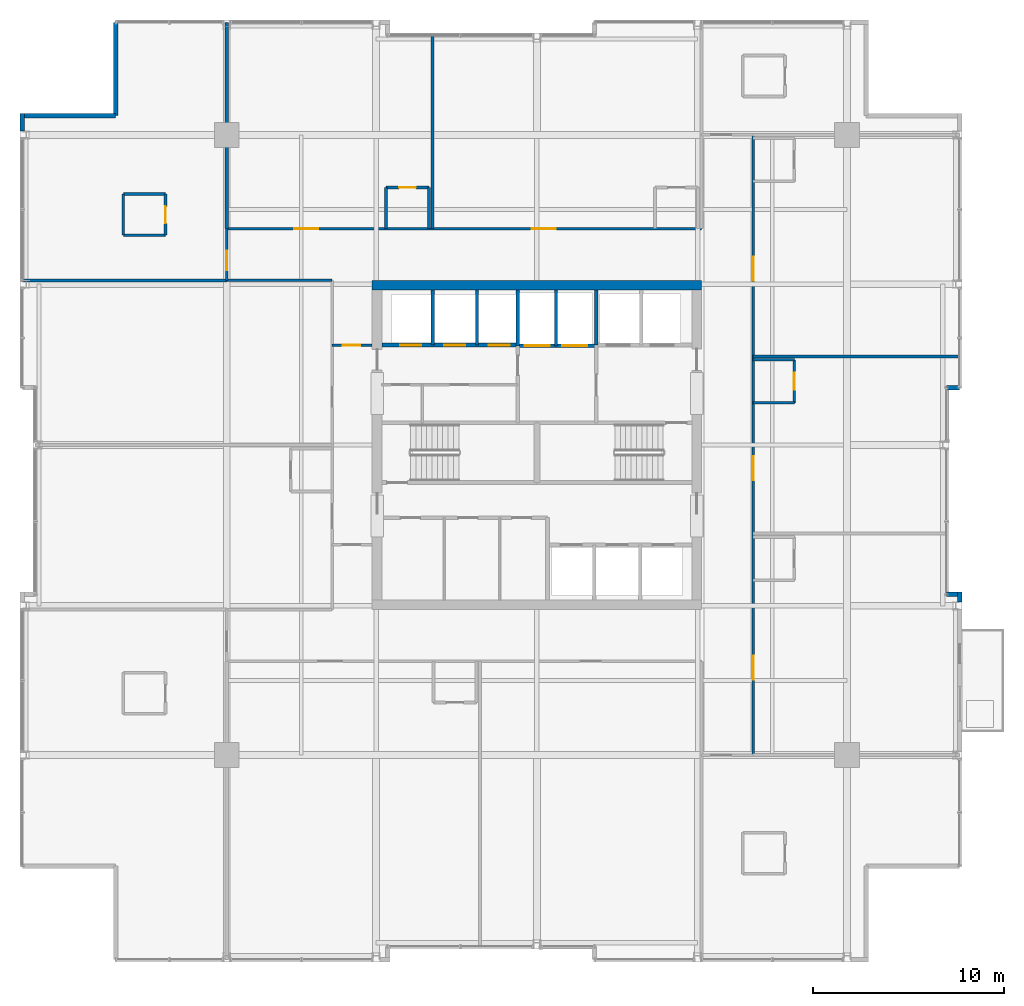
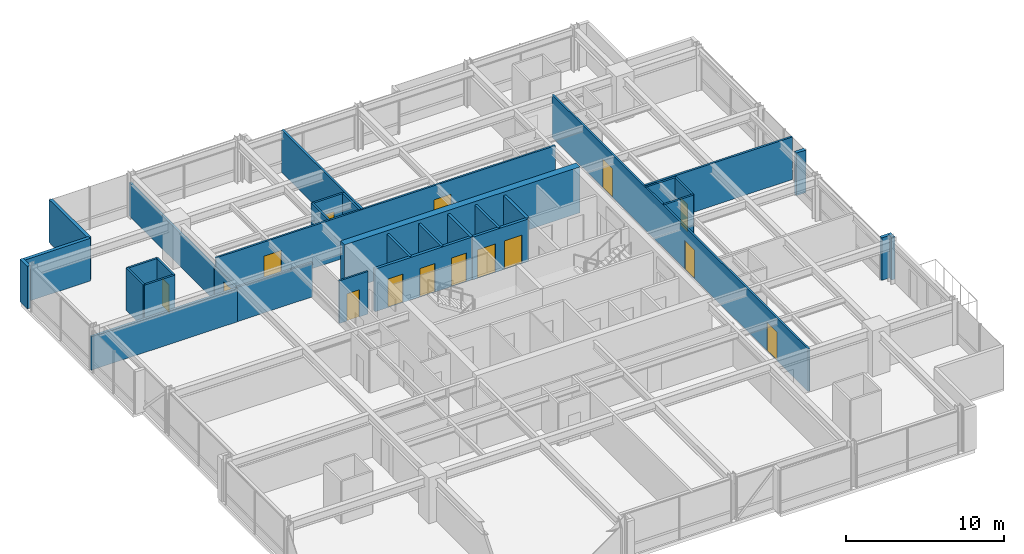
# One storey, part 29 of 33: 33 walls, 15 doors, 15 openings.
"""IFC4 building model written with IfcOpenShell, lengths in metres."""

from ifc_helpers import new_model, si_unit, direction, frame, frame_2d, origin, place, context, subcontext, project, spatial, rectangle, extrude, material, layer, layer_set, type_object, element, fill, save


model = new_model("IFC4")

# Units and contexts
model_context = context("Model", 3, precision=1e-05, world=origin(), true_north=direction((0.0, 1.0)))
body_context = subcontext(model_context, "Body", "Model", "MODEL_VIEW")
ifc_project = project(units=[si_unit("LENGTHUNIT", "METRE"), si_unit("AREAUNIT", "SQUARE_METRE"), si_unit("VOLUMEUNIT", "CUBIC_METRE"), si_unit("PLANEANGLEUNIT", "RADIAN"), si_unit("MASSUNIT", "GRAM", prefix="KILO")], contexts=[model_context])

# Site, building, storey
site_placement = place(None, origin())
site = spatial("IfcSite", under=ifc_project, at=site_placement, CompositionType="ELEMENT")
building_placement = place(site_placement, origin())
building = spatial("IfcBuilding", under=site, at=building_placement, Name="Drelvath Grand Hotel", CompositionType="ELEMENT")
storey_placement = place(building_placement, frame((0.0, 0.0, 168.14990234375)))
storey = spatial("IfcBuildingStorey", under=building, at=storey_placement, Name="L43", CompositionType="ELEMENT", Elevation=168.14990234375)

# Wall
ifc_material_1 = material(Name="Concrete C40/50", Category="concrete")
ifc_layer_1 = layer(ifc_material_1, 0.199951171875)
ifc_layer_set_1 = layer_set([ifc_layer_1], Name="Concrete C40/50")
wall_type_1 = type_object("IfcWallType", Name="Core Hoistway Fire Wall 200", PredefinedType="SOLIDWALL", material=ifc_layer_set_1)
wall_1_placement = place(storey_placement, frame((3.10009765625, 32.219970703125, 0.0), z_axis=(0.0, 0.0, 1.0), x_axis=(0.0, 1.0, 0.0)))
element("IfcWall", 1, at=wall_1_placement, inside=storey, type_object=wall_type_1, Name="L43 FSAE Hoistway West Wall", PredefinedType="SOLIDWALL", context=body_context, shape_type="SweptSolid", body=[
    extrude(rectangle(XDim=2.880126953125, YDim=0.199951171875, at=frame_2d((1.43994140625, 0.0))), origin(), (0.0, 0.0, 1.0), 3.2900390625),
])

# Wall, openings, doors
wall_2_placement = place(storey_placement, frame((-1.0, 32.179931640625, 0.0), z_axis=(0.0, 0.0, 1.0), x_axis=(1.0, 0.0, 0.0)))
wall_2 = element("IfcWall", 2, at=wall_2_placement, inside=storey, type_object=wall_type_1, Name="L43 Service Lift Hoistway Wall", PredefinedType="SOLIDWALL", context=body_context, shape_type="SweptSolid", body=[
    extrude(rectangle(XDim=4.10009765625, YDim=0.199951171875, at=frame_2d((2.050048828125, 0.0))), origin(), (0.0, 0.0, 1.0), 3.2900390625),
])
opening_1_placement = place(wall_2_placement, frame((0.3701171875, 0.0, 0.0)))
opening_1 = element("IfcOpeningElement", 3, at=opening_1_placement, cuts=wall_2, Name="Opening LD-SV-2", PredefinedType="OPENING", context=body_context, shape_type="SweptSolid", body=[
    extrude(rectangle(XDim=1.300048828125, YDim=2.199951171875, at=frame_2d((0.64990234375, 1.10009765625))), frame((0.0, 0.10986328125, 0.0), z_axis=(0.0, -1.0, 0.0), x_axis=(1.0, 0.0, 0.0)), (0.0, 0.0, 1.0), 0.219970703125),
])
opening_2_placement = place(wall_2_placement, frame((2.330078125, 0.0, 0.0)))
opening_2 = element("IfcOpeningElement", 4, at=opening_2_placement, cuts=wall_2, Name="Opening LD-SV-1", PredefinedType="OPENING", context=body_context, shape_type="SweptSolid", body=[
    extrude(rectangle(XDim=1.300048828125, YDim=2.199951171875, at=frame_2d((0.64990234375, 1.10009765625))), frame((0.0, 0.10986328125, 0.0), z_axis=(0.0, -1.0, 0.0), x_axis=(1.0, 0.0, 0.0)), (0.0, 0.0, 1.0), 0.219970703125),
])
ifc_material_2 = material(Name="Stainless Steel S355", Category="steel")
door_type_1 = type_object("IfcDoorType", Name="Service Lift Sliding Landing Door 1300x2200", OperationType="NOTDEFINED", PredefinedType="DOOR", material=ifc_material_2)
door_1_placement = place(opening_1_placement, origin())
door_1 = element("IfcDoor", 5, at=door_1_placement, inside=storey, type_object=door_type_1, Name="L43 Lift SV-2 Landing Door", OperationType="SLIDING_TO_LEFT", OverallHeight=2.199951171875, OverallWidth=1.300048828125, PredefinedType="DOOR", context=body_context, shape_type="SweptSolid", body=[
    extrude(rectangle(XDim=1.300048828125, YDim=2.199951171875, at=frame_2d((0.64990234375, 1.10009765625))), frame((0.0, 0.02490234375, 0.0), z_axis=(0.0, -1.0, 0.0), x_axis=(1.0, 0.0, 0.0)), (0.0, 0.0, 1.0), 0.050048828125),
])
fill(opening_1, door_1)
door_2_placement = place(opening_2_placement, origin())
door_2 = element("IfcDoor", 6, at=door_2_placement, inside=storey, type_object=door_type_1, Name="L43 Lift SV-1 Landing Door", OperationType="SLIDING_TO_LEFT", OverallHeight=2.199951171875, OverallWidth=1.300048828125, PredefinedType="DOOR", context=body_context, shape_type="SweptSolid", body=[
    extrude(rectangle(XDim=1.300048828125, YDim=2.199951171875, at=frame_2d((0.64990234375, 1.10009765625))), frame((0.0, 0.02490234375, 0.0), z_axis=(0.0, -1.0, 0.0), x_axis=(1.0, 0.0, 0.0)), (0.0, 0.0, 1.0), 0.050048828125),
])
fill(opening_2, door_2)

# Wall
wall_3_placement = place(storey_placement, frame((-1.0, 32.179931640625, 0.0), z_axis=(0.0, 0.0, 1.0), x_axis=(0.0, 1.0, 0.0)))
element("IfcWall", 7, at=wall_3_placement, inside=storey, type_object=wall_type_1, Name="L43 Service Lift West Wall", PredefinedType="SOLIDWALL", context=body_context, shape_type="SweptSolid", body=[
    extrude(rectangle(XDim=2.920166015625, YDim=0.199951171875, at=frame_2d((1.4599609375, 0.0))), origin(), (0.0, 0.0, 1.0), 3.2900390625),
])

# Wall, openings, doors
wall_4_placement = place(storey_placement, frame((-8.10009765625, 32.219970703125, 0.0), z_axis=(0.0, 0.0, 1.0), x_axis=(1.0, 0.0, 0.0)))
wall_4 = element("IfcWall", 8, at=wall_4_placement, inside=storey, type_object=wall_type_1, Name="L43 Bank 3 Hoistway Wall", PredefinedType="SOLIDWALL", context=body_context, shape_type="SweptSolid", body=[
    extrude(rectangle(XDim=7.10009765625, YDim=0.199951171875, at=frame_2d((3.550048828125, 0.0))), origin(), (0.0, 0.0, 1.0), 3.2900390625),
])
opening_3_placement = place(wall_4_placement, frame((0.949951171875, 0.0, 0.0)))
opening_3 = element("IfcOpeningElement", 9, at=opening_3_placement, cuts=wall_4, Name="Opening LD-PE-7", PredefinedType="OPENING", context=body_context, shape_type="SweptSolid", body=[
    extrude(rectangle(XDim=1.10009765625, YDim=2.199951171875, at=frame_2d((0.550048828125, 1.10009765625))), frame((0.0, 0.10986328125, 0.0), z_axis=(0.0, -1.0, 0.0), x_axis=(1.0, 0.0, 0.0)), (0.0, 0.0, 1.0), 0.219970703125),
])
opening_4_placement = place(wall_4_placement, frame((3.27001953125, 0.0, 0.0)))
opening_4 = element("IfcOpeningElement", 10, at=opening_4_placement, cuts=wall_4, Name="Opening LD-PE-8", PredefinedType="OPENING", context=body_context, shape_type="SweptSolid", body=[
    extrude(rectangle(XDim=1.10009765625, YDim=2.199951171875, at=frame_2d((0.550048828125, 1.10009765625))), frame((0.0, 0.10986328125, 0.0), z_axis=(0.0, -1.0, 0.0), x_axis=(1.0, 0.0, 0.0)), (0.0, 0.0, 1.0), 0.219970703125),
])
opening_5_placement = place(wall_4_placement, frame((5.590087890625, 0.0, 0.0)))
opening_5 = element("IfcOpeningElement", 11, at=opening_5_placement, cuts=wall_4, Name="Opening LD-PE-9", PredefinedType="OPENING", context=body_context, shape_type="SweptSolid", body=[
    extrude(rectangle(XDim=1.10009765625, YDim=2.199951171875, at=frame_2d((0.550048828125, 1.10009765625))), frame((0.0, 0.10986328125, 0.0), z_axis=(0.0, -1.0, 0.0), x_axis=(1.0, 0.0, 0.0)), (0.0, 0.0, 1.0), 0.219970703125),
])
door_type_2 = type_object("IfcDoorType", Name="Passenger Lift Sliding Landing Door 1100x2200", OperationType="NOTDEFINED", PredefinedType="DOOR", material=ifc_material_2)
door_3_placement = place(opening_3_placement, origin())
door_3 = element("IfcDoor", 12, at=door_3_placement, inside=storey, type_object=door_type_2, Name="L43 Lift PE-7 Landing Door", OperationType="SLIDING_TO_LEFT", OverallHeight=2.199951171875, OverallWidth=1.10009765625, PredefinedType="DOOR", context=body_context, shape_type="SweptSolid", body=[
    extrude(rectangle(XDim=1.10009765625, YDim=2.199951171875, at=frame_2d((0.550048828125, 1.10009765625))), frame((0.0, 0.02490234375, 0.0), z_axis=(0.0, -1.0, 0.0), x_axis=(1.0, 0.0, 0.0)), (0.0, 0.0, 1.0), 0.050048828125),
])
fill(opening_3, door_3)
door_4_placement = place(opening_4_placement, origin())
door_4 = element("IfcDoor", 13, at=door_4_placement, inside=storey, type_object=door_type_2, Name="L43 Lift PE-8 Landing Door", OperationType="SLIDING_TO_LEFT", OverallHeight=2.199951171875, OverallWidth=1.10009765625, PredefinedType="DOOR", context=body_context, shape_type="SweptSolid", body=[
    extrude(rectangle(XDim=1.10009765625, YDim=2.199951171875, at=frame_2d((0.550048828125, 1.10009765625))), frame((0.0, 0.02490234375, 0.0), z_axis=(0.0, -1.0, 0.0), x_axis=(1.0, 0.0, 0.0)), (0.0, 0.0, 1.0), 0.050048828125),
])
fill(opening_4, door_4)
door_5_placement = place(opening_5_placement, origin())
door_5 = element("IfcDoor", 14, at=door_5_placement, inside=storey, type_object=door_type_2, Name="L43 Lift PE-9 Landing Door", OperationType="SLIDING_TO_LEFT", OverallHeight=2.199951171875, OverallWidth=1.10009765625, PredefinedType="DOOR", context=body_context, shape_type="SweptSolid", body=[
    extrude(rectangle(XDim=1.10009765625, YDim=2.199951171875, at=frame_2d((0.550048828125, 1.10009765625))), frame((0.0, 0.02490234375, 0.0), z_axis=(0.0, -1.0, 0.0), x_axis=(1.0, 0.0, 0.0)), (0.0, 0.0, 1.0), 0.050048828125),
])
fill(opening_5, door_5)

# Walls
ifc_material_3 = material(Name="Gypsum Fireboard Partition")
ifc_layer_2 = layer(ifc_material_3, 0.1650390625)
ifc_layer_set_2 = layer_set([ifc_layer_2], Name="Gypsum Fireboard Partition")
wall_type_2 = type_object("IfcWallType", Name="Core Shaft Partition 165", PredefinedType="PARTITIONING", material=ifc_layer_set_2)
wall_5_placement = place(storey_placement, frame((1.0, 32.179931640625, 0.0), z_axis=(0.0, 0.0, 1.0), x_axis=(0.0, 1.0, 0.0)))
element("IfcWall", 15, at=wall_5_placement, inside=storey, type_object=wall_type_2, Name="L43 Service Lift Divider", PredefinedType="PARTITIONING", context=body_context, shape_type="SweptSolid", body=[
    extrude(rectangle(XDim=2.920166015625, YDim=0.1650390625, at=frame_2d((1.4599609375, 0.0))), origin(), (0.0, 0.0, 1.0), 3.2900390625),
])
for number, where, z_axis, x_axis, name in (
    (16, (-5.43994140625, 32.219970703125, 0.0), (0.0, 0.0, 1.0), (0.0, 1.0, 0.0), "L43 Lift PE-7/8 Divider"),
    (17, (-3.1201171875, 32.219970703125, 0.0), (0.0, 0.0, 1.0), (0.0, 1.0, 0.0), "L43 Lift PE-8/9 Divider"),
):
    element("IfcWall", number, at=place(storey_placement, frame(where, z_axis=z_axis, x_axis=x_axis)), inside=storey, type_object=wall_type_2, Name=name, PredefinedType="PARTITIONING", context=body_context, shape_type="SweptSolid", body=[
        extrude(rectangle(XDim=2.880126953125, YDim=0.1650390625, at=frame_2d((1.43994140625, 0.0))), origin(), (0.0, 0.0, 1.0), 3.2900390625),
    ])

# Wall, opening, door
ifc_layer_3 = layer(ifc_material_3, 0.135009765625)
ifc_layer_set_3 = layer_set([ifc_layer_3], Name="Gypsum Fireboard Partition")
wall_type_3 = type_object("IfcWallType", Name="Corridor Fire Barrier Wall 135", PredefinedType="PARTITIONING", material=ifc_layer_set_3)
wall_6_placement = place(storey_placement, frame((-10.699951171875, 32.199951171875, 0.0), z_axis=(0.0, 0.0, 1.0), x_axis=(1.0, 0.0, 0.0)))
wall_6 = element("IfcWall", 18, at=wall_6_placement, inside=storey, type_object=wall_type_3, Name="L43 West Foyer North Wall", PredefinedType="PARTITIONING", context=body_context, shape_type="SweptSolid", body=[
    extrude(rectangle(XDim=2.099853515625, YDim=0.135009765625, at=frame_2d((1.0498046875, 0.0))), origin(), (0.0, 0.0, 1.0), 3.2900390625),
])
opening_6_placement = place(wall_6_placement, frame((0.550048828125, 0.0, 0.0)))
opening_6 = element("IfcOpeningElement", 19, at=opening_6_placement, cuts=wall_6, Name="Opening D-T3G2-025", PredefinedType="OPENING", context=body_context, shape_type="SweptSolid", body=[
    extrude(rectangle(XDim=0.919921875, YDim=2.10009765625, at=frame_2d((0.4599609375, 1.050048828125))), frame((0.0, 0.077392578125, 0.0), z_axis=(0.0, -1.0, 0.0), x_axis=(1.0, 0.0, 0.0)), (0.0, 0.0, 1.0), 0.155029296875),
])
ifc_material_4 = material(Name="Painted Steel S275", Category="steel")
door_type_3 = type_object("IfcDoorType", Name="Staff Utility Door 920x2100", OperationType="NOTDEFINED", PredefinedType="DOOR", material=ifc_material_4)
door_6_placement = place(opening_6_placement, origin())
door_6 = element("IfcDoor", 20, at=door_6_placement, inside=storey, type_object=door_type_3, Name="L43 West Pantry Door", OperationType="SINGLE_SWING_LEFT", OverallHeight=2.10009765625, OverallWidth=0.919921875, PredefinedType="DOOR", context=body_context, shape_type="SweptSolid", body=[
    extrude(rectangle(XDim=0.919921875, YDim=2.10009765625, at=frame_2d((0.4599609375, 1.050048828125))), frame((0.0, 0.02490234375, 0.0), z_axis=(0.0, -1.0, 0.0), x_axis=(1.0, 0.0, 0.0)), (0.0, 0.0, 1.0), 0.050048828125),
])
fill(opening_6, door_6)

# Wall
wall_7_placement = place(storey_placement, frame((-16.199951171875, 35.60009765625, 0.0), z_axis=(0.0, 0.0, 1.0), x_axis=(1.0, 0.0, 0.0)))
element("IfcWall", 21, at=wall_7_placement, inside=storey, type_object=wall_type_3, Name="L43 NW Stub South Wall", PredefinedType="PARTITIONING", context=body_context, shape_type="SweptSolid", body=[
    extrude(rectangle(XDim=5.5, YDim=0.135009765625, at=frame_2d((2.75, 0.0))), origin(), (0.0, 0.0, 1.0), 2.66748046875),
])

# Wall, openings, doors
wall_8_placement = place(storey_placement, frame((-16.199951171875, 38.300048828125, 0.0), z_axis=(0.0, 0.0, 1.0), x_axis=(1.0, 0.0, 0.0)))
wall_8 = element("IfcWall", 22, at=wall_8_placement, inside=storey, type_object=wall_type_3, Name="L43 North Stub Corridor Wall", PredefinedType="PARTITIONING", context=body_context, shape_type="SweptSolid", body=[
    extrude(rectangle(XDim=24.800048828125, YDim=0.135009765625, at=frame_2d((12.39990234375, 0.0))), origin(), (0.0, 0.0, 1.0), 3.2900390625),
])
opening_7_placement = place(wall_8_placement, frame((3.5283203125, 0.0, 0.0)))
opening_7 = element("IfcOpeningElement", 23, at=opening_7_placement, cuts=wall_8, Name="Opening D-T3G2-038", PredefinedType="OPENING", context=body_context, shape_type="SweptSolid", body=[
    extrude(rectangle(XDim=1.260009765625, YDim=2.199951171875, at=frame_2d((0.6298828125, 1.10009765625))), frame((0.0, 0.077392578125, 0.0), z_axis=(0.0, -1.0, 0.0), x_axis=(1.0, 0.0, 0.0)), (0.0, 0.0, 1.0), 0.155029296875),
])
opening_8_placement = place(wall_8_placement, frame((15.928466796875, 0.0, 0.0)))
opening_8 = element("IfcOpeningElement", 24, at=opening_8_placement, cuts=wall_8, Name="Opening D-T3G2-040", PredefinedType="OPENING", context=body_context, shape_type="SweptSolid", body=[
    extrude(rectangle(XDim=1.260009765625, YDim=2.199951171875, at=frame_2d((0.6298828125, 1.10009765625))), frame((0.0, 0.077392578125, 0.0), z_axis=(0.0, -1.0, 0.0), x_axis=(1.0, 0.0, 0.0)), (0.0, 0.0, 1.0), 0.155029296875),
])
ifc_material_5 = material(Name="Hardwood Walnut Timber", Category="wood")
door_type_4 = type_object("IfcDoorType", Name="Suite Entrance Fire Door 1260x2200", OperationType="NOTDEFINED", PredefinedType="DOOR", material=ifc_material_5)
door_7_placement = place(opening_7_placement, origin())
door_7 = element("IfcDoor", 25, at=door_7_placement, inside=storey, type_object=door_type_4, Name="L43 Executive Suite Entry Door", OperationType="SINGLE_SWING_RIGHT", OverallHeight=2.199951171875, OverallWidth=1.260009765625, PredefinedType="DOOR", context=body_context, shape_type="SweptSolid", body=[
    extrude(rectangle(XDim=1.260009765625, YDim=2.199951171875, at=frame_2d((0.6298828125, 1.10009765625))), frame((0.0, 0.02490234375, 0.0), z_axis=(0.0, -1.0, 0.0), x_axis=(1.0, 0.0, 0.0)), (0.0, 0.0, 1.0), 0.050048828125),
])
fill(opening_7, door_7)
door_8_placement = place(opening_8_placement, origin())
door_8 = element("IfcDoor", 26, at=door_8_placement, inside=storey, type_object=door_type_4, Name="L43 Executive Suite Entry Door", OperationType="SINGLE_SWING_RIGHT", OverallHeight=2.199951171875, OverallWidth=1.260009765625, PredefinedType="DOOR", context=body_context, shape_type="SweptSolid", body=[
    extrude(rectangle(XDim=1.260009765625, YDim=2.199951171875, at=frame_2d((0.6298828125, 1.10009765625))), frame((0.0, 0.02490234375, 0.0), z_axis=(0.0, -1.0, 0.0), x_axis=(1.0, 0.0, 0.0)), (0.0, 0.0, 1.0), 0.050048828125),
])
fill(opening_8, door_8)

wall_9_placement = place(storey_placement, frame((11.300048828125, 10.800048828125, 0.0), z_axis=(0.0, 0.0, 1.0), x_axis=(0.0, 1.0, 0.0)))
wall_9 = element("IfcWall", 27, at=wall_9_placement, inside=storey, type_object=wall_type_3, Name="L43 East Spine Corridor Wall", PredefinedType="PARTITIONING", context=body_context, shape_type="SweptSolid", body=[
    extrude(rectangle(XDim=32.39990234375, YDim=0.135009765625, at=frame_2d((16.199951171875, 0.0))), origin(), (0.0, 0.0, 1.0), 3.2900390625),
])
opening_9_placement = place(wall_9_placement, frame((3.940673828125, 0.0, 0.0)))
opening_9 = element("IfcOpeningElement", 28, at=opening_9_placement, cuts=wall_9, Name="Opening D-T3G2-042", PredefinedType="OPENING", context=body_context, shape_type="SweptSolid", body=[
    extrude(rectangle(XDim=1.260009765625, YDim=2.199951171875, at=frame_2d((0.6298828125, 1.10009765625))), frame((0.0, 0.077392578125, 0.0), z_axis=(0.0, -1.0, 0.0), x_axis=(1.0, 0.0, 0.0)), (0.0, 0.0, 1.0), 0.155029296875),
])
opening_10_placement = place(wall_9_placement, frame((14.35498046875, 0.0, 0.0)))
opening_10 = element("IfcOpeningElement", 29, at=opening_10_placement, cuts=wall_9, Name="Opening D-T3G2-044", PredefinedType="OPENING", context=body_context, shape_type="SweptSolid", body=[
    extrude(rectangle(XDim=1.260009765625, YDim=2.199951171875, at=frame_2d((0.6298828125, 1.10009765625))), frame((0.0, 0.077392578125, 0.0), z_axis=(0.0, -1.0, 0.0), x_axis=(1.0, 0.0, 0.0)), (0.0, 0.0, 1.0), 0.155029296875),
])
opening_11_placement = place(wall_9_placement, frame((24.769287109375, 0.0, 0.0)))
opening_11 = element("IfcOpeningElement", 30, at=opening_11_placement, cuts=wall_9, Name="Opening D-T3G2-046", PredefinedType="OPENING", context=body_context, shape_type="SweptSolid", body=[
    extrude(rectangle(XDim=1.260009765625, YDim=2.199951171875, at=frame_2d((0.6298828125, 1.10009765625))), frame((0.0, 0.077392578125, 0.0), z_axis=(0.0, -1.0, 0.0), x_axis=(1.0, 0.0, 0.0)), (0.0, 0.0, 1.0), 0.155029296875),
])
door_9_placement = place(opening_9_placement, origin())
door_9 = element("IfcDoor", 31, at=door_9_placement, inside=storey, type_object=door_type_4, Name="L43 Executive Suite Entry Door", OperationType="SINGLE_SWING_RIGHT", OverallHeight=2.199951171875, OverallWidth=1.260009765625, PredefinedType="DOOR", context=body_context, shape_type="SweptSolid", body=[
    extrude(rectangle(XDim=1.260009765625, YDim=2.199951171875, at=frame_2d((0.6298828125, 1.10009765625))), frame((0.0, 0.02490234375, 0.0), z_axis=(0.0, -1.0, 0.0), x_axis=(1.0, 0.0, 0.0)), (0.0, 0.0, 1.0), 0.050048828125),
])
fill(opening_9, door_9)
door_10_placement = place(opening_10_placement, origin())
door_10 = element("IfcDoor", 32, at=door_10_placement, inside=storey, type_object=door_type_4, Name="L43 Executive Suite Entry Door", OperationType="SINGLE_SWING_RIGHT", OverallHeight=2.199951171875, OverallWidth=1.260009765625, PredefinedType="DOOR", context=body_context, shape_type="SweptSolid", body=[
    extrude(rectangle(XDim=1.260009765625, YDim=2.199951171875, at=frame_2d((0.6298828125, 1.10009765625))), frame((0.0, 0.02490234375, 0.0), z_axis=(0.0, -1.0, 0.0), x_axis=(1.0, 0.0, 0.0)), (0.0, 0.0, 1.0), 0.050048828125),
])
fill(opening_10, door_10)
door_11_placement = place(opening_11_placement, origin())
door_11 = element("IfcDoor", 33, at=door_11_placement, inside=storey, type_object=door_type_4, Name="L43 Executive Suite Entry Door", OperationType="SINGLE_SWING_RIGHT", OverallHeight=2.199951171875, OverallWidth=1.260009765625, PredefinedType="DOOR", context=body_context, shape_type="SweptSolid", body=[
    extrude(rectangle(XDim=1.260009765625, YDim=2.199951171875, at=frame_2d((0.6298828125, 1.10009765625))), frame((0.0, 0.02490234375, 0.0), z_axis=(0.0, -1.0, 0.0), x_axis=(1.0, 0.0, 0.0)), (0.0, 0.0, 1.0), 0.050048828125),
])
fill(opening_11, door_11)

# Wall, opening, door
wall_10_placement = place(storey_placement, frame((-16.199951171875, 35.60009765625, 0.0), z_axis=(0.0, 0.0, 1.0), x_axis=(0.0, 1.0, 0.0)))
wall_10 = element("IfcWall", 34, at=wall_10_placement, inside=storey, type_object=wall_type_3, Name="L43 North Stub West End", PredefinedType="PARTITIONING", context=body_context, shape_type="SweptSolid", body=[
    extrude(rectangle(XDim=2.699951171875, YDim=0.135009765625, at=frame_2d((1.35009765625, 0.0))), origin(), (0.0, 0.0, 1.0), 2.57958984375),
])
opening_12_placement = place(wall_10_placement, frame((0.52001953125, 0.0, 0.0)))
opening_12 = element("IfcOpeningElement", 35, at=opening_12_placement, cuts=wall_10, Name="Opening D-T3G2-029", PredefinedType="OPENING", context=body_context, shape_type="SweptSolid", body=[
    extrude(rectangle(XDim=1.02001953125, YDim=2.14990234375, at=frame_2d((0.510009765625, 1.074951171875))), frame((0.0, 0.077392578125, 0.0), z_axis=(0.0, -1.0, 0.0), x_axis=(1.0, 0.0, 0.0)), (0.0, 0.0, 1.0), 0.155029296875),
])
door_type_5 = type_object("IfcDoorType", Name="Amenity Meeting Fire Door 1020x2150", OperationType="NOTDEFINED", PredefinedType="DOOR", material=ifc_material_5)
door_12_placement = place(opening_12_placement, origin())
door_12 = element("IfcDoor", 36, at=door_12_placement, inside=storey, type_object=door_type_5, Name="L43 Executive Suite Entry Door", OperationType="SINGLE_SWING_LEFT", OverallHeight=2.14990234375, OverallWidth=1.02001953125, PredefinedType="DOOR", context=body_context, shape_type="SweptSolid", body=[
    extrude(rectangle(XDim=1.02001953125, YDim=2.14990234375, at=frame_2d((0.510009765625, 1.074951171875))), frame((0.0, 0.02490234375, 0.0), z_axis=(0.0, -1.0, 0.0), x_axis=(1.0, 0.0, 0.0)), (0.0, 0.0, 1.0), 0.050048828125),
])
fill(opening_12, door_12)

# Walls
ifc_material_6 = material(Name="Moisture-Resistant Gypsum Board")
ifc_layer_4 = layer(ifc_material_6, 0.139892578125)
ifc_layer_set_4 = layer_set([ifc_layer_4], Name="Moisture-Resistant Gypsum Board")
wall_type_4 = type_object("IfcWallType", Name="En-Suite Plumbing Wall 140", PredefinedType="PLUMBINGWALL", material=ifc_layer_set_4)
for number, where, z_axis, x_axis, name in (
    (37, (-21.60009765625, 37.9599609375, 0.0), (0.0, 0.0, 1.0), (1.0, 0.0, 0.0), "L43 Corner En-Suite South"),
    (38, (-21.60009765625, 40.110107421875, 0.0), (0.0, 0.0, 1.0), (1.0, 0.0, 0.0), "L43 Corner En-Suite North"),
):
    element("IfcWall", number, at=place(storey_placement, frame(where, z_axis=z_axis, x_axis=x_axis)), inside=storey, type_object=wall_type_4, Name=name, PredefinedType="PLUMBINGWALL", context=body_context, shape_type="SweptSolid", body=[
        extrude(rectangle(XDim=2.2001953125, YDim=0.139892578125, at=frame_2d((1.10009765625, 0.0))), origin(), (0.0, 0.0, 1.0), 3.2900390625),
    ])
wall_11_placement = place(storey_placement, frame((-21.60009765625, 37.9599609375, 0.0), z_axis=(0.0, 0.0, 1.0), x_axis=(0.0, 1.0, 0.0)))
element("IfcWall", 39, at=wall_11_placement, inside=storey, type_object=wall_type_4, Name="L43 Corner En-Suite West", PredefinedType="PLUMBINGWALL", context=body_context, shape_type="SweptSolid", body=[
    extrude(rectangle(XDim=2.150146484375, YDim=0.139892578125, at=frame_2d((1.0751953125, 0.0))), origin(), (0.0, 0.0, 1.0), 3.2900390625),
])

# Wall, opening, door
wall_12_placement = place(storey_placement, frame((-19.39990234375, 37.9599609375, 0.0), z_axis=(0.0, 0.0, 1.0), x_axis=(0.0, 1.0, 0.0)))
wall_12 = element("IfcWall", 40, at=wall_12_placement, inside=storey, type_object=wall_type_4, Name="L43 Corner En-Suite East", PredefinedType="PLUMBINGWALL", context=body_context, shape_type="SweptSolid", body=[
    extrude(rectangle(XDim=2.150146484375, YDim=0.139892578125, at=frame_2d((1.0751953125, 0.0))), origin(), (0.0, 0.0, 1.0), 3.2900390625),
])
opening_13_placement = place(wall_12_placement, frame((0.6201171875, 0.0, 0.0)))
opening_13 = element("IfcOpeningElement", 41, at=opening_13_placement, cuts=wall_12, Name="Opening D-T3G2-028", PredefinedType="OPENING", context=body_context, shape_type="SweptSolid", body=[
    extrude(rectangle(XDim=0.8798828125, YDim=2.10009765625, at=frame_2d((0.43994140625, 1.050048828125))), frame((0.0, 0.079833984375, 0.0), z_axis=(0.0, -1.0, 0.0), x_axis=(1.0, 0.0, 0.0)), (0.0, 0.0, 1.0), 0.159912109375),
])
door_type_6 = type_object("IfcDoorType", Name="En-Suite Bathroom Door 880x2100", OperationType="NOTDEFINED", PredefinedType="DOOR", material=ifc_material_5)
door_13_placement = place(opening_13_placement, origin())
door_13 = element("IfcDoor", 42, at=door_13_placement, inside=storey, type_object=door_type_6, Name="L43 Corner En-Suite Door", OperationType="SINGLE_SWING_RIGHT", OverallHeight=2.10009765625, OverallWidth=0.8798828125, PredefinedType="DOOR", context=body_context, shape_type="SweptSolid", body=[
    extrude(rectangle(XDim=0.8798828125, YDim=2.10009765625, at=frame_2d((0.43994140625, 1.050048828125))), frame((0.0, 0.02490234375, 0.0), z_axis=(0.0, -1.0, 0.0), x_axis=(1.0, 0.0, 0.0)), (0.0, 0.0, 1.0), 0.050048828125),
])
fill(opening_13, door_13)

# Walls
for number, where, z_axis, x_axis, name in (
    (43, (-7.88330078125, 38.300048828125, 0.0), (0.0, 0.0, 1.0), (0.0, 1.0, 0.0), "L43 En-Suite Left Wall"),
    (44, (-5.63330078125, 38.300048828125, 0.0), (0.0, 0.0, 1.0), (0.0, 1.0, 0.0), "L43 En-Suite Right Wall"),
):
    element("IfcWall", number, at=place(storey_placement, frame(where, z_axis=z_axis, x_axis=x_axis)), inside=storey, type_object=wall_type_4, Name=name, PredefinedType="PLUMBINGWALL", context=body_context, shape_type="SweptSolid", body=[
        extrude(rectangle(XDim=2.14990234375, YDim=0.139892578125, at=frame_2d((1.074951171875, 0.0))), origin(), (0.0, 0.0, 1.0), 3.2900390625),
    ])

# Wall, opening, door
wall_13_placement = place(storey_placement, frame((-7.88330078125, 40.449951171875, 0.0), z_axis=(0.0, 0.0, 1.0), x_axis=(1.0, 0.0, 0.0)))
wall_13 = element("IfcWall", 45, at=wall_13_placement, inside=storey, type_object=wall_type_4, Name="L43 En-Suite Front Wall", PredefinedType="PLUMBINGWALL", context=body_context, shape_type="SweptSolid", body=[
    extrude(rectangle(XDim=2.25, YDim=0.139892578125, at=frame_2d((1.125, 0.0))), origin(), (0.0, 0.0, 1.0), 3.2900390625),
])
opening_14_placement = place(wall_13_placement, frame((0.68505859375, 0.0, 0.0)))
opening_14 = element("IfcOpeningElement", 46, at=opening_14_placement, cuts=wall_13, Name="Opening D-T3G2-037", PredefinedType="OPENING", context=body_context, shape_type="SweptSolid", body=[
    extrude(rectangle(XDim=0.8798828125, YDim=2.10009765625, at=frame_2d((0.43994140625, 1.050048828125))), frame((0.0, 0.079833984375, 0.0), z_axis=(0.0, -1.0, 0.0), x_axis=(1.0, 0.0, 0.0)), (0.0, 0.0, 1.0), 0.159912109375),
])
door_14_placement = place(opening_14_placement, origin())
door_14 = element("IfcDoor", 47, at=door_14_placement, inside=storey, type_object=door_type_6, Name="L43 En-Suite Bathroom Door", OperationType="SINGLE_SWING_LEFT", OverallHeight=2.10009765625, OverallWidth=0.8798828125, PredefinedType="DOOR", context=body_context, shape_type="SweptSolid", body=[
    extrude(rectangle(XDim=0.8798828125, YDim=2.10009765625, at=frame_2d((0.43994140625, 1.050048828125))), frame((0.0, 0.02490234375, 0.0), z_axis=(0.0, -1.0, 0.0), x_axis=(1.0, 0.0, 0.0)), (0.0, 0.0, 1.0), 0.050048828125),
])
fill(opening_14, door_14)

# Walls
for number, where, z_axis, x_axis, name in (
    (48, (11.300048828125, 29.198486328125, 0.0), (0.0, 0.0, 1.0), (1.0, 0.0, 0.0), "L43 En-Suite Left Wall"),
    (49, (11.300048828125, 31.448486328125, 0.0), (0.0, 0.0, 1.0), (1.0, 0.0, 0.0), "L43 En-Suite Right Wall"),
):
    element("IfcWall", number, at=place(storey_placement, frame(where, z_axis=z_axis, x_axis=x_axis)), inside=storey, type_object=wall_type_4, Name=name, PredefinedType="PLUMBINGWALL", context=body_context, shape_type="SweptSolid", body=[
        extrude(rectangle(XDim=2.14990234375, YDim=0.139892578125, at=frame_2d((1.074951171875, 0.0))), origin(), (0.0, 0.0, 1.0), 3.2900390625),
    ])

# Wall, opening, door
wall_14_placement = place(storey_placement, frame((13.449951171875, 29.198486328125, 0.0), z_axis=(0.0, 0.0, 1.0), x_axis=(0.0, 1.0, 0.0)))
wall_14 = element("IfcWall", 50, at=wall_14_placement, inside=storey, type_object=wall_type_4, Name="L43 En-Suite Front Wall", PredefinedType="PLUMBINGWALL", context=body_context, shape_type="SweptSolid", body=[
    extrude(rectangle(XDim=2.25, YDim=0.139892578125, at=frame_2d((1.125, 0.0))), origin(), (0.0, 0.0, 1.0), 3.2900390625),
])
opening_15_placement = place(wall_14_placement, frame((0.68505859375, 0.0, 0.0)))
opening_15 = element("IfcOpeningElement", 51, at=opening_15_placement, cuts=wall_14, Name="Opening D-T3G2-043", PredefinedType="OPENING", context=body_context, shape_type="SweptSolid", body=[
    extrude(rectangle(XDim=0.8798828125, YDim=2.10009765625, at=frame_2d((0.43994140625, 1.050048828125))), frame((0.0, 0.079833984375, 0.0), z_axis=(0.0, -1.0, 0.0), x_axis=(1.0, 0.0, 0.0)), (0.0, 0.0, 1.0), 0.159912109375),
])
door_15_placement = place(opening_15_placement, origin())
door_15 = element("IfcDoor", 52, at=door_15_placement, inside=storey, type_object=door_type_6, Name="L43 En-Suite Bathroom Door", OperationType="SINGLE_SWING_LEFT", OverallHeight=2.10009765625, OverallWidth=0.8798828125, PredefinedType="DOOR", context=body_context, shape_type="SweptSolid", body=[
    extrude(rectangle(XDim=0.8798828125, YDim=2.10009765625, at=frame_2d((0.43994140625, 1.050048828125))), frame((0.0, 0.02490234375, 0.0), z_axis=(0.0, -1.0, 0.0), x_axis=(1.0, 0.0, 0.0)), (0.0, 0.0, 1.0), 0.050048828125),
])
fill(opening_15, door_15)

# Walls
ifc_material_7 = material(Name="Gypsum Acoustic Partition")
ifc_layer_5 = layer(ifc_material_7, 0.14990234375)
ifc_layer_set_5 = layer_set([ifc_layer_5], Name="Gypsum Acoustic Partition")
wall_type_5 = type_object("IfcWallType", Name="Guestroom Demising Wall 150", PredefinedType="PARTITIONING", material=ifc_layer_set_5)
wall_15_placement = place(storey_placement, frame((-5.453369140625, 38.300048828125, 0.0), z_axis=(0.0, 0.0, 1.0), x_axis=(0.0, 1.0, 0.0)))
element("IfcWall", 53, at=wall_15_placement, inside=storey, type_object=wall_type_5, Name="L43 North Demising 1", PredefinedType="PARTITIONING", context=body_context, shape_type="SweptSolid", body=[
    extrude(rectangle(XDim=10.099853515625, YDim=0.14990234375, at=frame_2d((5.0498046875, 0.0))), origin(), (0.0, 0.0, 1.0), 3.2900390625),
])
wall_16_placement = place(storey_placement, frame((11.300048828125, 31.628662109375, 0.0), z_axis=(0.0, 0.0, 1.0), x_axis=(1.0, 0.0, 0.0)))
element("IfcWall", 54, at=wall_16_placement, inside=storey, type_object=wall_type_5, Name="L43 East Demising 2", PredefinedType="PARTITIONING", context=body_context, shape_type="SweptSolid", body=[
    extrude(rectangle(XDim=10.780029296875, YDim=0.14990234375, at=frame_2d((5.39013671875, 0.0))), origin(), (0.0, 0.0, 1.0), 3.2900390625),
])
ifc_layer_6 = layer(ifc_material_7, 0.1650390625)
ifc_layer_set_6 = layer_set([ifc_layer_6], Name="Gypsum Acoustic Partition")
wall_type_6 = type_object("IfcWallType", Name="Suite Demising Wall 165", PredefinedType="PARTITIONING", material=ifc_layer_set_6)
wall_17_placement = place(storey_placement, frame((-16.199951171875, 38.300048828125, 0.0), z_axis=(0.0, 0.0, 1.0), x_axis=(0.0, 1.0, 0.0)))
element("IfcWall", 55, at=wall_17_placement, inside=storey, type_object=wall_type_6, Name="L43 NW Suite East Wall", PredefinedType="PARTITIONING", context=body_context, shape_type="SweptSolid", body=[
    extrude(rectangle(XDim=10.780029296875, YDim=0.1650390625, at=frame_2d((5.39013671875, 0.0))), origin(), (0.0, 0.0, 1.0), 2.57958984375),
])
wall_18_placement = place(storey_placement, frame((-26.8798828125, 35.60009765625, 0.0), z_axis=(0.0, 0.0, 1.0), x_axis=(1.0, 0.0, 0.0)))
element("IfcWall", 56, at=wall_18_placement, inside=storey, type_object=wall_type_6, Name="L43 NW Suite South Wall", PredefinedType="PARTITIONING", context=body_context, shape_type="SweptSolid", body=[
    extrude(rectangle(XDim=10.679931640625, YDim=0.1650390625, at=frame_2d((5.33984375, 0.0))), origin(), (0.0, 0.0, 1.0), 2.57958984375),
])
ifc_material_8 = material(Name="Pale-Metal Insulated Aluminium Spandrel Assembly", Category="aluminium")
ifc_layer_7 = layer(ifc_material_8, 0.239990234375)
ifc_layer_set_7 = layer_set([ifc_layer_7], Name="Pale-Metal Insulated Aluminium Spandrel Assembly")
wall_type_7 = type_object("IfcWallType", Name="Tower Insulated Metal Spandrel Closure Wall 240", PredefinedType="STANDARD", material=ifc_layer_set_7)
wall_19_placement = place(storey_placement, frame((-26.8798828125, 43.400146484375, 0.0), z_axis=(0.0, 0.0, 1.0), x_axis=(0.0, 1.0, 0.0)))
element("IfcWall", 57, at=wall_19_placement, inside=storey, type_object=wall_type_7, Name="L43 Corner Pier Spandrel Wall WN3", PredefinedType="STANDARD", context=body_context, shape_type="SweptSolid", body=[
    extrude(rectangle(XDim=0.919921875, YDim=0.239990234375, at=frame_2d((0.4599609375, 0.0))), origin(), (0.0, 0.0, 1.0), 3.2900390625),
])
wall_20_placement = place(storey_placement, frame((22.080078125, 19.320068359375, 0.0), z_axis=(0.0, 0.0, 1.0), x_axis=(0.0, -1.0, 0.0)))
element("IfcWall", 58, at=wall_20_placement, inside=storey, type_object=wall_type_7, Name="L43 Corner Pier Spandrel Wall ES3", PredefinedType="STANDARD", context=body_context, shape_type="SweptSolid", body=[
    extrude(rectangle(XDim=0.52001953125, YDim=0.239990234375, at=frame_2d((0.260009765625, 0.0))), origin(), (0.0, 0.0, 1.0), 3.2900390625),
])
wall_21_placement = place(storey_placement, frame((-26.760009765625, 44.199951171875, 0.0), z_axis=(0.0, 0.0, 1.0), x_axis=(1.0, 0.0, 0.0)))
element("IfcWall", 59, at=wall_21_placement, inside=storey, type_object=wall_type_7, Name="L43 Notched Corner Return Spandrel Wall CNW1", PredefinedType="STANDARD", context=body_context, shape_type="SweptSolid", body=[
    extrude(rectangle(XDim=4.760009765625, YDim=0.239990234375, at=frame_2d((2.3798828125, 0.0))), origin(), (0.0, 0.0, 1.0), 3.2900390625),
])
wall_22_placement = place(storey_placement, frame((-22.0, 44.199951171875, 0.0), z_axis=(0.0, 0.0, 1.0), x_axis=(0.0, 1.0, 0.0)))
element("IfcWall", 60, at=wall_22_placement, inside=storey, type_object=wall_type_7, Name="L43 Notched Corner Return Spandrel Wall CNW2", PredefinedType="STANDARD", context=body_context, shape_type="SweptSolid", body=[
    extrude(rectangle(XDim=4.880126953125, YDim=0.239990234375, at=frame_2d((2.43994140625, 0.0))), origin(), (0.0, 0.0, 1.0), 3.2900390625),
])
wall_23_placement = place(storey_placement, frame((22.080078125, 30.0, 0.0), z_axis=(0.0, 0.0, 1.0), x_axis=(-1.0, 0.0, 0.0)))
element("IfcWall", 61, at=wall_23_placement, inside=storey, type_object=wall_type_7, Name="L43 Notched Corner Return Spandrel Wall RE1", PredefinedType="STANDARD", context=body_context, shape_type="SweptSolid", body=[
    extrude(rectangle(XDim=0.68017578125, YDim=0.239990234375, at=frame_2d((0.340087890625, 0.0))), origin(), (0.0, 0.0, 1.0), 3.2900390625),
])
wall_24_placement = place(storey_placement, frame((21.39990234375, 19.199951171875, 0.0), z_axis=(0.0, 0.0, 1.0), x_axis=(1.0, 0.0, 0.0)))
element("IfcWall", 62, at=wall_24_placement, inside=storey, type_object=wall_type_7, Name="L43 Notched Corner Return Spandrel Wall RE2", PredefinedType="STANDARD", context=body_context, shape_type="SweptSolid", body=[
    extrude(rectangle(XDim=0.56005859375, YDim=0.239990234375, at=frame_2d((0.280029296875, 0.0))), origin(), (0.0, 0.0, 1.0), 3.2900390625),
])
ifc_material_9 = material(Name="Concrete f'c 55 MPa", Category="concrete")
ifc_layer_8 = layer(ifc_material_9, 0.5)
ifc_layer_set_8 = layer_set([ifc_layer_8], Name="Concrete f'c 55 MPa")
wall_type_8 = type_object("IfcWallType", Name="Upper Core RC Shear Wall 500", PredefinedType="SHEAR", material=ifc_layer_set_8)
wall_25_placement = place(storey_placement, frame((-8.60009765625, 35.35009765625, 0.0), z_axis=(0.0, 0.0, 1.0), x_axis=(1.0, 0.0, 0.0)))
element("IfcWall", 63, at=wall_25_placement, inside=storey, type_object=wall_type_8, Name="L43 Central Core Shear Wall N", PredefinedType="SHEAR", context=body_context, shape_type="SweptSolid", body=[
    extrude(rectangle(XDim=17.2001953125, YDim=0.5, at=frame_2d((8.60009765625, 0.0))), origin(), (0.0, 0.0, 1.0), 3.550048828125),
])

save(model, "model.ifc")
